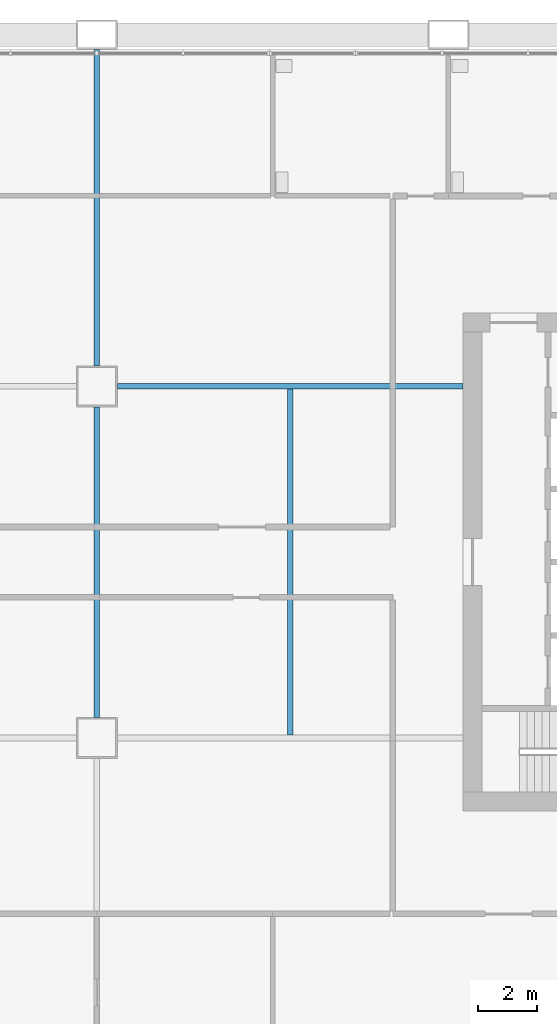
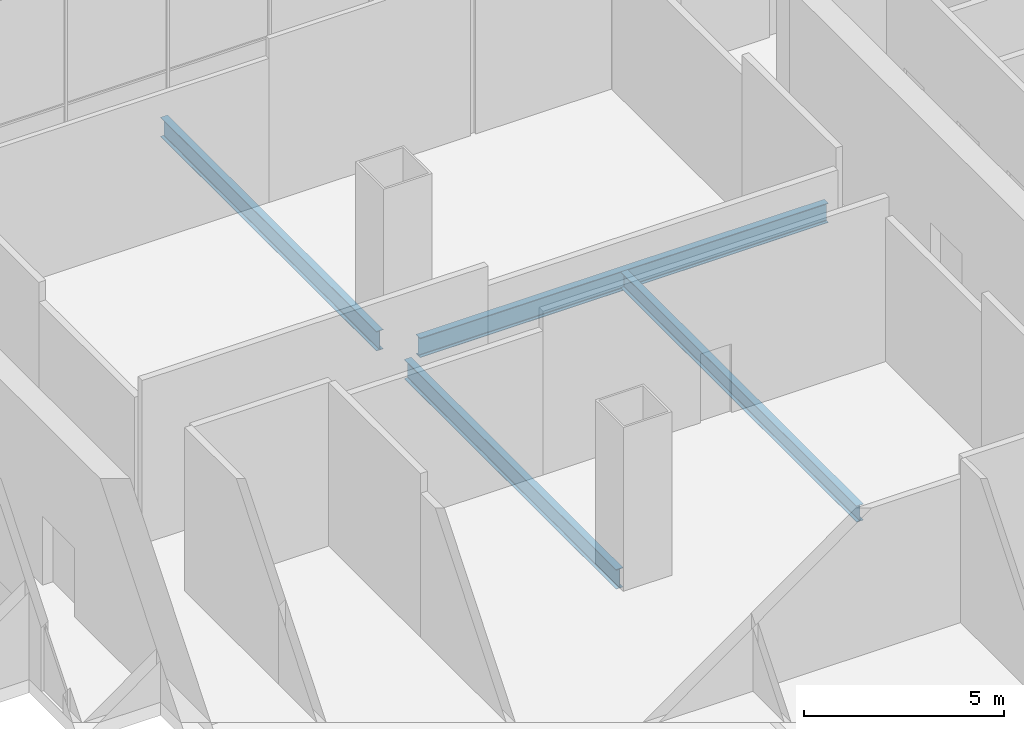
# One storey, part 7 of 20: 4 beams.
"""IFC4 building model written with IfcOpenShell, lengths in metres."""

import ifcopenshell
import ifcopenshell.guid

model = None  # the IFC model being written
_history = None  # IfcOwnerHistory: only IFC2X3 demands one
_inside = {}  # id of a spatial element -> (the spatial element, [elements in it])
_under = {}  # id of a project, library or spatial element -> (it, [spatial elements below it])
_declared = {}  # id of a project -> (the project, [libraries it declares])
_typed = {}  # id of a type object -> (the type object, [elements of that type])
_made_of = {}  # id of a material, layer set ... -> (it, [elements and type objects made of it])


def new_model(schema):
    """Start an empty IFC model of exactly this schema.

    Asked for "IFC4X3", IfcOpenShell would pick the latest addendum, in which some entities
    have other attributes; the version numbers below select the first issue.
    IFC2X3 requires an IfcOwnerHistory on every rooted entity: one is made here for all.
    """
    global model, _history
    if schema == "IFC4X3":
        model = ifcopenshell.file(schema_version=(4, 3, 0, 0))
    else:
        model = ifcopenshell.file(schema=schema)
    _inside.clear()
    _under.clear()
    _declared.clear()
    _typed.clear()
    _made_of.clear()
    _history = None
    if model.schema == "IFC2X3":
        org = make("IfcOrganization", Name="unknown")
        user = make(
            "IfcPersonAndOrganization",
            ThePerson=make("IfcPerson", FamilyName="unknown"),
            TheOrganization=org,
        )
        app = make(
            "IfcApplication",
            ApplicationDeveloper=org,
            Version="unknown",
            ApplicationFullName="unknown",
            ApplicationIdentifier="unknown",
        )
        _history = make(
            "IfcOwnerHistory",
            OwningUser=user,
            OwningApplication=app,
            ChangeAction="ADDED",
            CreationDate=0,
        )
    return model


def make(cls, **values):
    """One entity of the class cls with the attributes given. An attribute that is None is left unset."""
    return model.create_entity(
        cls, **{name: value for name, value in values.items() if value is not None}
    )


def rooted(cls, **values):
    """An entity with a GlobalId (a new one), such as an element, a storey or a relation."""
    return make(cls, GlobalId=ifcopenshell.guid.new(), OwnerHistory=_history, **values)


def si_unit(unit_type, name, prefix=None):
    """IfcSIUnit, for example si_unit("LENGTHUNIT", "METRE", prefix="MILLI")."""
    return make("IfcSIUnit", UnitType=unit_type, Prefix=prefix, Name=name)


def assignment(units):
    """IfcUnitAssignment: the units of a project."""
    return None if units is None else make("IfcUnitAssignment", Units=units)


def point(xyz):
    """IfcCartesianPoint."""
    return None if xyz is None else make("IfcCartesianPoint", Coordinates=xyz)


def direction(xyz):
    """IfcDirection."""
    return None if xyz is None else make("IfcDirection", DirectionRatios=xyz)


def frame(location, z_axis=None, x_axis=None):
    """IfcAxis2Placement3D, a coordinate frame: its origin and axes. An axis left out is left unset."""
    return make(
        "IfcAxis2Placement3D",
        Location=point(location),
        Axis=direction(z_axis),
        RefDirection=direction(x_axis),
    )


def frame_2d(location, x_axis=None):
    """IfcAxis2Placement2D, a coordinate frame in the plane: its origin and x axis."""
    return make(
        "IfcAxis2Placement2D", Location=point(location), RefDirection=direction(x_axis)
    )


def origin():
    """The frame at (0, 0, 0) with its axes left unset."""
    return frame((0.0, 0.0, 0.0))


def origin_2d():
    """The frame at (0, 0) in the plane with its x axis left unset."""
    return frame_2d((0.0, 0.0))


def place(relative_to, where):
    """IfcLocalPlacement: puts the frame where relative to a parent placement (None: the world)."""
    return make(
        "IfcLocalPlacement", PlacementRelTo=relative_to, RelativePlacement=where
    )


def context(
    kind, dimensions, precision=None, world=None, true_north=None, identifier=None
):
    """IfcGeometricRepresentationContext, for example the 3D "Model" context."""
    return make(
        "IfcGeometricRepresentationContext",
        ContextIdentifier=identifier,
        ContextType=kind,
        CoordinateSpaceDimension=dimensions,
        Precision=precision,
        WorldCoordinateSystem=world,
        TrueNorth=true_north,
    )


def subcontext(parent, identifier, kind, view, scale=None):
    """IfcGeometricRepresentationSubContext, for example "Body" below "Model"."""
    return make(
        "IfcGeometricRepresentationSubContext",
        ContextIdentifier=identifier,
        ContextType=kind,
        ParentContext=parent,
        TargetScale=scale,
        TargetView=view,
    )


def project(units=None, contexts=None):
    """IfcProject with its units and contexts."""
    return rooted(
        "IfcProject",
        Name="project",
        RepresentationContexts=contexts,
        UnitsInContext=assignment(units),
    )


def spatial(cls, under=None, at=None, **own):
    """A site, building, storey or space (cls), placed at a placement, below another one or the project."""
    s = rooted(cls, ObjectPlacement=at, **own)
    if under is not None:
        _under.setdefault(under.id(), (under, []))[1].append(s)
    return s


def profile(cls, at=None, kind="AREA", **sizes):
    """A parametric profile (cls). Its sizes go by their IFC names, for example OverallWidth=200.0."""
    return make(cls, ProfileType=kind, Position=at, **sizes)


def i_section(**sizes):
    """IfcIShapeProfileDef."""
    return profile("IfcIShapeProfileDef", **sizes)


def extrude(swept, where, along, depth):
    """IfcExtrudedAreaSolid: the profile swept, set in the frame where, extruded along a direction by depth."""
    return make(
        "IfcExtrudedAreaSolid",
        SweptArea=swept,
        Position=where,
        ExtrudedDirection=direction(along),
        Depth=depth,
    )


def shape(context_of_items, identifier, shape_type, items):
    """IfcShapeRepresentation: the items that make up one representation, for example the "Body"."""
    return make(
        "IfcShapeRepresentation",
        ContextOfItems=context_of_items,
        RepresentationIdentifier=identifier,
        RepresentationType=shape_type,
        Items=items,
    )


def material(Name=None, Category=None):
    """IfcMaterial."""
    return make("IfcMaterial", Name=Name, Category=Category)


def material_profile(
    of_material, cross_section, Name=None, Category=None, Priority=None
):
    """IfcMaterialProfile: a cross section and its material."""
    return make(
        "IfcMaterialProfile",
        Name=Name,
        Material=of_material,
        Profile=cross_section,
        Priority=Priority,
        Category=Category,
    )


def profile_set(profiles, Name=None, composite=None):
    """IfcMaterialProfileSet."""
    return make(
        "IfcMaterialProfileSet",
        Name=Name,
        MaterialProfiles=profiles,
        CompositeProfile=composite,
    )


def made_of(thing, what):
    """Note that an element or type object is made of a material, layer set ...; save() writes the relation."""
    if what is not None:
        _made_of.setdefault(what.id(), (what, []))[1].append(thing)
    return thing


def type_object(cls, material=None, **own):
    """A type object (cls), such as IfcWallType, which elements share."""
    return made_of(rooted(cls, **own), material)


def element(
    cls,
    number,
    at=None,
    inside=None,
    cuts=None,
    type_object=None,
    material=None,
    context=None,
    identifier="Body",
    shape_type=None,
    held_by="IfcProductDefinitionShape",
    body=None,
    shapes=None,
    **own,
):
    """One element of the class cls, such as IfcWall. Its Tag is "e" and its number.

    at: its placement. inside: the storey or other place that contains it. cuts: it is an
    opening in that element (IfcRelVoidsElement). A single representation is given by context,
    identifier, shape_type and body (its items); several are given by shapes. held_by: the class
    of the entity that holds the representations. save() writes the other relations.
    """
    e = rooted(cls, Tag="e%d" % number, ObjectPlacement=at, **own)
    if body is not None:
        shapes = [shape(context, identifier, shape_type, body)]
    if shapes is not None:
        e.Representation = make(held_by, Representations=shapes)
    if inside is not None:
        _inside.setdefault(inside.id(), (inside, []))[1].append(e)
    if cuts is not None:
        rooted(
            "IfcRelVoidsElement", RelatingBuildingElement=cuts, RelatedOpeningElement=e
        )
    if type_object is not None:
        _typed.setdefault(type_object.id(), (type_object, []))[1].append(e)
    return made_of(e, material)


def aggregate(whole, parts):
    """IfcRelAggregates: a whole, such as a stair, and the parts it consists of."""
    return rooted("IfcRelAggregates", RelatingObject=whole, RelatedObjects=parts)


def save(model, path):
    """Write the relations noted so far, then the file.

    IfcRelAggregates (storeys below a building ...), IfcRelContainedInSpatialStructure (elements
    in a storey), IfcRelDefinesByType, IfcRelAssociatesMaterial and IfcRelDeclares: one each for
    every whole, place, type object, material and project.
    """
    for whole, parts in _under.values():
        aggregate(whole, parts)
    for where, things in _inside.values():
        rooted(
            "IfcRelContainedInSpatialStructure",
            RelatedElements=things,
            RelatingStructure=where,
        )
    for kind, things in _typed.values():
        rooted("IfcRelDefinesByType", RelatedObjects=things, RelatingType=kind)
    for what, things in _made_of.values():
        rooted("IfcRelAssociatesMaterial", RelatedObjects=things, RelatingMaterial=what)
    for by, libraries in _declared.values():
        rooted("IfcRelDeclares", RelatingContext=by, RelatedDefinitions=libraries)
    model.write(path)


model = new_model("IFC4")

# Units and contexts
model_context = context("Model", 3, precision=1e-05, world=origin(), true_north=direction((0.0, 1.0)))
body_context = subcontext(model_context, "Body", "Model", "MODEL_VIEW")
ifc_project = project(units=[si_unit("LENGTHUNIT", "METRE"), si_unit("AREAUNIT", "SQUARE_METRE"), si_unit("VOLUMEUNIT", "CUBIC_METRE"), si_unit("PLANEANGLEUNIT", "RADIAN"), si_unit("MASSUNIT", "GRAM", prefix="KILO")], contexts=[model_context])

# Site, building, storey
site_placement = place(None, origin())
site = spatial("IfcSite", under=ifc_project, at=site_placement, CompositionType="ELEMENT")
building_placement = place(site_placement, origin())
building = spatial("IfcBuilding", under=site, at=building_placement, Name="Kitamizu Gate Tower and Museum", CompositionType="ELEMENT")
storey_placement = place(building_placement, frame((0.0, 0.0, 148.35009765625)))
storey = spatial("IfcBuildingStorey", under=building, at=storey_placement, Name="L39", CompositionType="ELEMENT", Elevation=148.35009765625)

# Beams
ifc_material_1 = material(Name="Steel SM490A", Category="steel")
ifc_material_profile_1 = material_profile(ifc_material_1, i_section(OverallWidth=0.199951171875, OverallDepth=0.5, WebThickness=0.010009765625, FlangeThickness=0.01611328125, FilletRadius=0.02001953125, at=origin_2d()), Name="H-500x200x10x16")
ifc_profile_set_1 = profile_set([ifc_material_profile_1], Name="Steel SM490A")
beam_type_1 = type_object("IfcBeamType", Name="Floor beam FB1 H 500x200x10x16", PredefinedType="BEAM", material=ifc_profile_set_1)
beam_1_placement = place(storey_placement, frame((42.60009765625, 24.10009765625, -0.650146484375), z_axis=(0.0, 1.0, 0.0), x_axis=(-1.0, 0.0, 0.0)))
element("IfcBeam", 1, at=beam_1_placement, inside=storey, type_object=beam_type_1, Name="Floor beam FB1 L39-3", PredefinedType="BEAM", context=body_context, shape_type="SweptSolid", body=[
    extrude(i_section(OverallWidth=0.199951171875, OverallDepth=0.5, WebThickness=0.010009765625, FlangeThickness=0.01611328125, FilletRadius=0.02001953125, at=origin_2d()), origin(), (0.0, 0.0, 1.0), 11.7998046875),
])
ifc_material_2 = material(Name="Steel SM490A", Category="steel")
ifc_material_profile_2 = material_profile(ifc_material_2, i_section(OverallWidth=0.199951171875, OverallDepth=0.60009765625, WebThickness=0.010986328125, FlangeThickness=0.01708984375, FilletRadius=0.02197265625, at=origin_2d()), Name="H-600x200x11x17")
ifc_profile_set_2 = profile_set([ifc_material_profile_2], Name="Steel SM490A")
beam_type_2 = type_object("IfcBeamType", Name="Floor girder FG1 H 600x200x11x17", PredefinedType="BEAM", material=ifc_profile_set_2)
beam_2_placement = place(storey_placement, frame((36.0, 24.699951171875, -0.7001953125), z_axis=(0.0, 1.0, 0.0), x_axis=(-1.0, 0.0, 0.0)))
element("IfcBeam", 2, at=beam_2_placement, inside=storey, type_object=beam_type_2, Name="Floor girder FG1 x36 L39", PredefinedType="BEAM", context=body_context, shape_type="SweptSolid", body=[
    extrude(i_section(OverallWidth=0.199951171875, OverallDepth=0.60009765625, WebThickness=0.010986328125, FlangeThickness=0.01708984375, FilletRadius=0.02197265625, at=origin_2d()), origin(), (0.0, 0.0, 1.0), 10.60009765625),
])
beam_3_placement = place(storey_placement, frame((36.0, 36.699951171875, -0.7001953125), z_axis=(0.0, 1.0, 0.0), x_axis=(-1.0, 0.0, 0.0)))
element("IfcBeam", 3, at=beam_3_placement, inside=storey, type_object=beam_type_2, Name="Floor girder FG1 x36 L39", PredefinedType="BEAM", context=body_context, shape_type="SweptSolid", body=[
    extrude(i_section(OverallWidth=0.199951171875, OverallDepth=0.60009765625, WebThickness=0.010986328125, FlangeThickness=0.01708984375, FilletRadius=0.02197265625, at=origin_2d()), origin(), (0.0, 0.0, 1.0), 10.800048828125),
])
beam_4_placement = place(storey_placement, frame((36.699951171875, 36.0, -0.7001953125), z_axis=(1.0, 0.0, 0.0), x_axis=(0.0, 1.0, 0.0)))
element("IfcBeam", 4, at=beam_4_placement, inside=storey, type_object=beam_type_2, Name="Floor girder FG1 y36 L39", PredefinedType="BEAM", context=body_context, shape_type="SweptSolid", body=[
    extrude(i_section(OverallWidth=0.199951171875, OverallDepth=0.60009765625, WebThickness=0.010986328125, FlangeThickness=0.01708984375, FilletRadius=0.02197265625, at=origin_2d()), origin(), (0.0, 0.0, 1.0), 11.800048828125),
])

save(model, "model.ifc")
